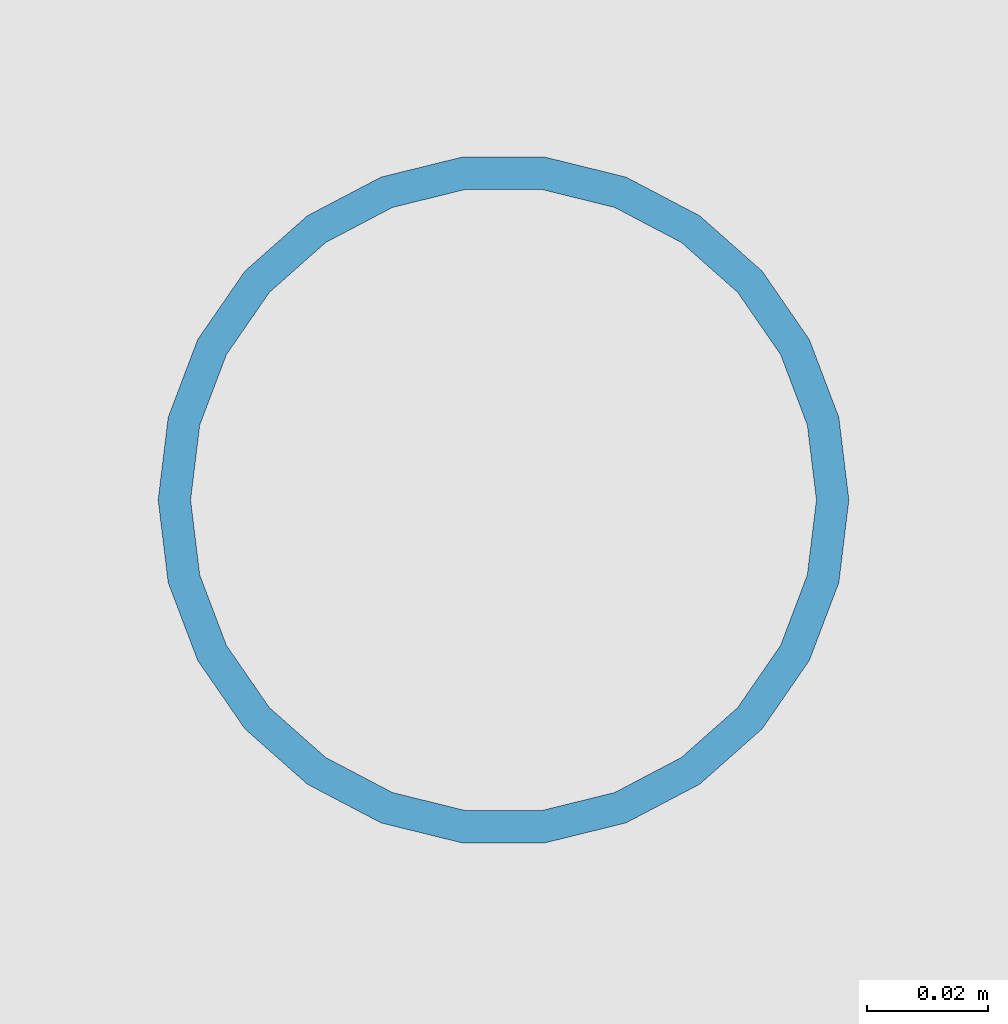
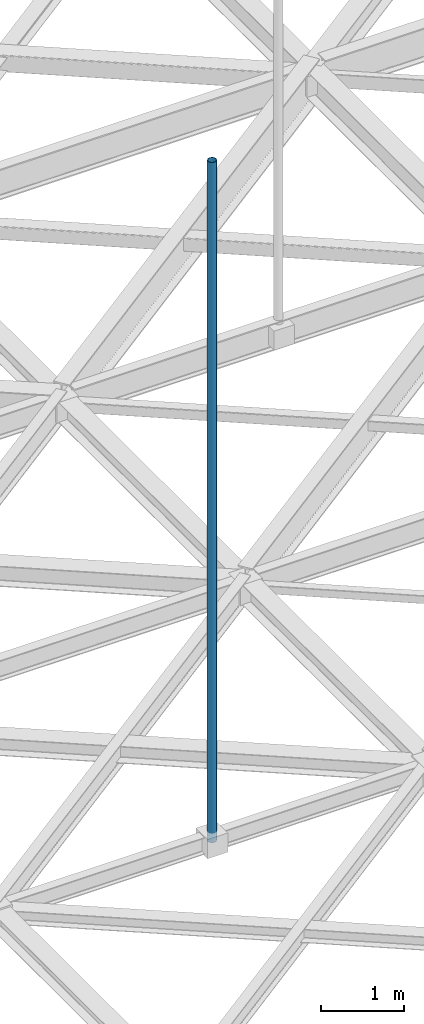
# One storey, part 24 of 93: 1 member.
"""IFC4 building model written with IfcOpenShell, lengths in metres."""

from ifc_helpers import new_model, si_unit, direction, frame, origin, origin_2d, place, context, subcontext, project, spatial, hollow_circle, extrude, material, material_profile, profile_set, type_object, element, save


model = new_model("IFC4")

# Units and contexts
model_context = context("Model", 3, precision=1e-05, world=origin(), true_north=direction((0.0, 1.0)))
body_context = subcontext(model_context, "Body", "Model", "MODEL_VIEW")
ifc_project = project(units=[si_unit("LENGTHUNIT", "METRE"), si_unit("AREAUNIT", "SQUARE_METRE"), si_unit("VOLUMEUNIT", "CUBIC_METRE"), si_unit("PLANEANGLEUNIT", "RADIAN"), si_unit("MASSUNIT", "GRAM", prefix="KILO")], contexts=[model_context])

# Site, building, storey
site_placement = place(None, origin())
site = spatial("IfcSite", under=ifc_project, at=site_placement, CompositionType="ELEMENT")
building_placement = place(site_placement, origin())
building = spatial("IfcBuilding", under=site, at=building_placement, Name="Varnakota Cinema and Media Centre", CompositionType="ELEMENT")
storey_placement = place(building_placement, frame((0.0, 0.0, 12.0)))
storey = spatial("IfcBuildingStorey", under=building, at=storey_placement, Name="L03", CompositionType="ELEMENT", Elevation=12.0)

# Member
ifc_material = material(Name="Structural steel S355 (YSt 355)", Category="steel")
ifc_material_profile = material_profile(ifc_material, hollow_circle(Radius=0.05712890625, WallThickness=0.00537109375, at=origin_2d()), Name="CHS 114.3x5.4")
ifc_profile_set = profile_set([ifc_material_profile], Name="Structural steel S355 (YSt 355)")
member_type = type_object("IfcMemberType", Name="MEM-ST-CHS114_3x5_4", PredefinedType="BRACE", material=ifc_profile_set)
member_placement = place(storey_placement, frame((84.0, 13.199951171875, 1.300048828125), z_axis=(0.0, 0.0, 1.0), x_axis=(1.0, 0.0, 0.0)))
element("IfcMember", 1, at=member_placement, inside=storey, type_object=member_type, Name="V1 rigging hanger 2.2", PredefinedType="BRACE", context=body_context, shape_type="SweptSolid", body=[
    extrude(hollow_circle(Radius=0.05712890625, WallThickness=0.00537109375, at=origin_2d()), origin(), (0.0, 0.0, 1.0), 9.949951171875),
])

save(model, "model.ifc")
